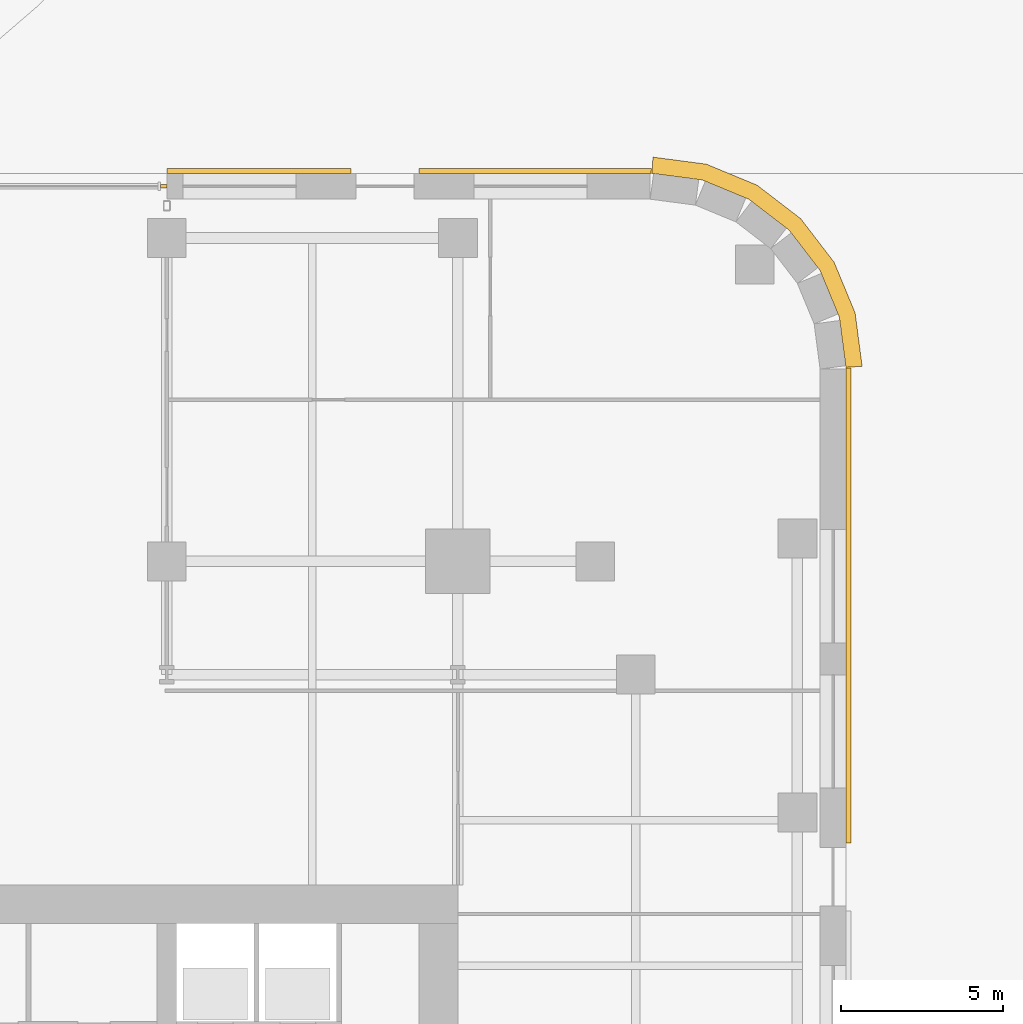
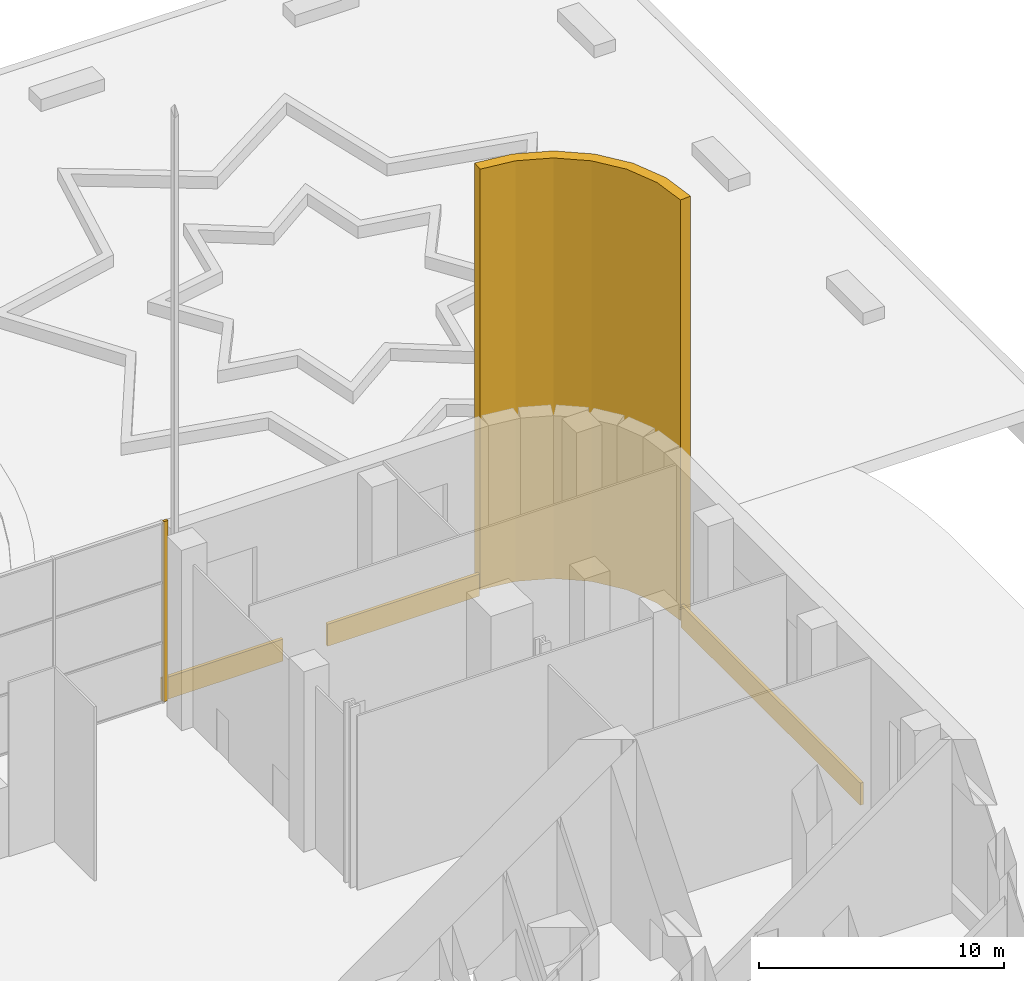
# One storey, part 19 of 23: 5 coverings.
"""IFC4 building model written with IfcOpenShell, lengths in metres."""

from ifc_helpers import new_model, si_unit, direction, frame, origin, origin_2d, place, context, subcontext, project, spatial, polyline, rectangle, outline, extrude, material, layer, layer_set, type_object, element, save


model = new_model("IFC4")

# Units and contexts
model_context = context("Model", 3, precision=1e-05, world=origin(), true_north=direction((0.0, 1.0)))
body_context = subcontext(model_context, "Body", "Model", "MODEL_VIEW")
ifc_project = project(units=[si_unit("LENGTHUNIT", "METRE"), si_unit("AREAUNIT", "SQUARE_METRE"), si_unit("VOLUMEUNIT", "CUBIC_METRE"), si_unit("PLANEANGLEUNIT", "RADIAN"), si_unit("MASSUNIT", "GRAM", prefix="KILO")], contexts=[model_context])

# Site, building, storey
site_placement = place(None, origin())
site = spatial("IfcSite", under=ifc_project, at=site_placement, CompositionType="ELEMENT")
building_placement = place(site_placement, origin())
building = spatial("IfcBuilding", under=site, at=building_placement, Name="Zellij Exchange Tower", CompositionType="ELEMENT")
storey_placement = place(building_placement, origin())
storey = spatial("IfcBuildingStorey", under=building, at=storey_placement, Name="L00", CompositionType="ELEMENT", Elevation=0.0)

# Coverings
ifc_material = material(Name="Limestone cladding", Category="masonry")
ifc_layer_1 = layer(ifc_material, 0.14990234375)
ifc_layer_set_1 = layer_set([ifc_layer_1], Name="Limestone cladding")
covering_type_1 = type_object("IfcCoveringType", Name="ENV-CV1 Stone spandrel band 150", PredefinedType="CLADDING", material=ifc_layer_set_1)
covering_1_placement = place(storey_placement, frame((0.0, 0.0, -0.300048828125)))
element("IfcCovering", 1, at=covering_1_placement, inside=storey, type_object=covering_type_1, Name="Stone spandrel band", PredefinedType="CLADDING", context=body_context, shape_type="SweptSolid", body=[
    extrude(outline(polyline([(39.0, -0.703369140625), (39.0, 13.973876953125), (39.14990234375, 13.983642578125), (39.14990234375, -0.703369140625), (39.0, -0.703369140625)])), origin(), (0.0, 0.0, 1.0), 1.10009765625),
])
covering_2_placement = place(storey_placement, frame((0.0, 0.0, -0.300048828125)))
element("IfcCovering", 2, at=covering_2_placement, inside=storey, type_object=covering_type_1, Name="Stone spandrel band", PredefinedType="CLADDING", context=body_context, shape_type="SweptSolid", body=[
    extrude(outline(polyline([(32.973876953125, 20.0), (25.800048828125, 20.0), (25.800048828125, 20.14990234375), (32.983642578125, 20.14990234375), (32.973876953125, 20.0)])), origin(), (0.0, 0.0, 1.0), 1.10009765625),
])
covering_3_placement = place(storey_placement, frame((0.0, 0.0, -0.300048828125)))
element("IfcCovering", 3, at=covering_3_placement, inside=storey, type_object=covering_type_1, Name="Stone spandrel band", PredefinedType="CLADDING", context=body_context, shape_type="SweptSolid", body=[
    extrude(outline(polyline([(23.699951171875, 20.0), (18.0, 20.0), (18.0, 20.14990234375), (23.699951171875, 20.14990234375), (23.699951171875, 20.0)])), origin(), (0.0, 0.0, 1.0), 1.10009765625),
])
ifc_layer_2 = layer(ifc_material, 0.5)
ifc_layer_set_2 = layer_set([ifc_layer_2], Name="Limestone cladding")
covering_type_2 = type_object("IfcCoveringType", Name="ENV-CV12 Stone corner pier 500", PredefinedType="CLADDING", material=ifc_layer_set_2)
covering_4_placement = place(storey_placement, origin())
element("IfcCovering", 4, at=covering_4_placement, inside=storey, type_object=covering_type_2, Name="Stone corner pier", PredefinedType="CLADDING", context=body_context, shape_type="SweptSolid", body=[
    extrude(outline(polyline([(39.0, 14.0), (38.795654296875, 15.552978515625), (38.1962890625, 17.0), (37.24267578125, 18.24267578125), (36.0, 19.1962890625), (34.552978515625, 19.795654296875), (33.0, 20.0), (33.03271484375, 20.5), (34.683349609375, 20.28271484375), (36.252197265625, 19.6328125), (37.59912109375, 18.59912109375), (38.6328125, 17.252197265625), (39.28271484375, 15.683349609375), (39.5, 14.03271484375), (39.0, 14.0)])), origin(), (0.0, 0.0, 1.0), 21.0),
])
ifc_layer_3 = layer(ifc_material, 0.1201171875)
ifc_layer_set_3 = layer_set([ifc_layer_3], Name="Limestone cladding")
covering_type_3 = type_object("IfcCoveringType", Name="ENV-CV18 Glazing closer 120", PredefinedType="CLADDING", material=ifc_layer_set_3)
covering_5_placement = place(storey_placement, frame((17.89990234375, 19.60009765625, 0.0), z_axis=(0.0, 0.0, 1.0), x_axis=(1.0, 0.0, 0.0)))
element("IfcCovering", 5, at=covering_5_placement, inside=storey, type_object=covering_type_3, Name="Glazing closer", PredefinedType="CLADDING", context=body_context, shape_type="SweptSolid", body=[
    extrude(rectangle(XDim=0.199951171875, YDim=0.1201171875, at=origin_2d()), origin(), (0.0, 0.0, 1.0), 9.0),
])

save(model, "model.ifc")
